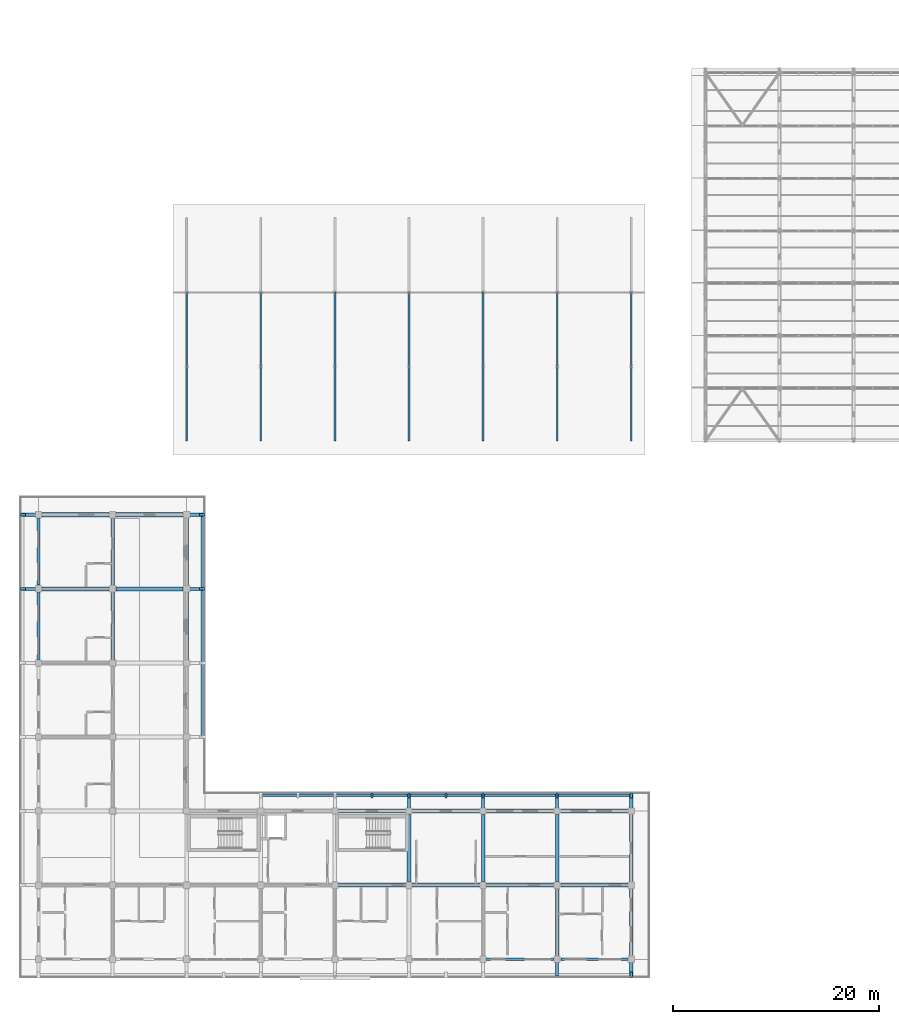
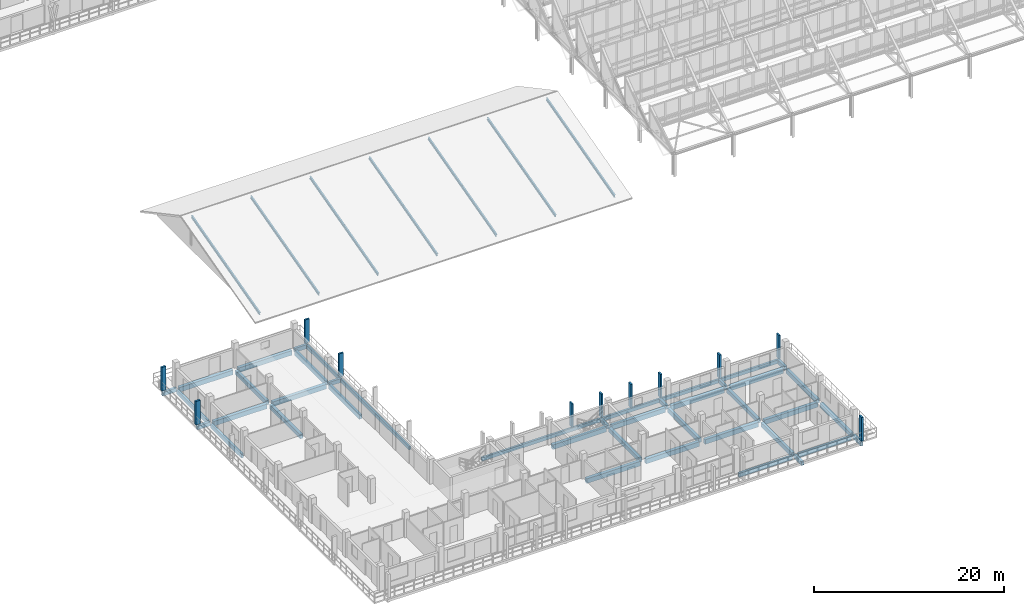
# One storey, part 21 of 157: 52 beams, 11 members.
"""IFC4 building model written with IfcOpenShell, lengths in metres."""

from ifc_helpers import new_model, si_unit, direction, frame, origin, origin_2d, place, context, subcontext, project, spatial, rectangle, i_section, extrude, material, material_profile, profile_set, type_object, element, save


model = new_model("IFC4")

# Units and contexts
model_context = context("Model", 3, precision=1e-05, world=origin(), true_north=direction((0.0, 1.0)))
body_context = subcontext(model_context, "Body", "Model", "MODEL_VIEW")
ifc_project = project(units=[si_unit("LENGTHUNIT", "METRE"), si_unit("AREAUNIT", "SQUARE_METRE"), si_unit("VOLUMEUNIT", "CUBIC_METRE"), si_unit("PLANEANGLEUNIT", "RADIAN"), si_unit("MASSUNIT", "GRAM", prefix="KILO")], contexts=[model_context])

# Site, building, storey
site_placement = place(None, origin())
site = spatial("IfcSite", under=ifc_project, at=site_placement, CompositionType="ELEMENT")
building_placement = place(site_placement, origin())
building = spatial("IfcBuilding", under=site, at=building_placement, Name="Suanplinth Sawtooth Commons", CompositionType="ELEMENT")
storey_placement = place(building_placement, frame((0.0, 0.0, 9.0)))
storey = spatial("IfcBuildingStorey", under=building, at=storey_placement, Name="L02", CompositionType="ELEMENT", Elevation=9.0)

# Beams
ifc_material_1 = material(Name="Precast concrete C40/50", Category="concrete")
ifc_material_profile_1 = material_profile(ifc_material_1, rectangle(XDim=0.39990234375, YDim=0.60009765625, at=origin_2d()), Name="PC-GDR 400x600")
ifc_profile_set_1 = profile_set([ifc_material_profile_1], Name="Precast concrete C40/50")
beam_type_1 = type_object("IfcBeamType", Name="B-05", PredefinedType="USERDEFINED", material=ifc_profile_set_1)
for number, where, z_axis, x_axis, name in (
    (1, (0.35009765625, 36.0, -0.550048828125), (1.0, 0.0, 0.0), (0.0, 1.0, 0.0), "BMX-L02-D-0-5"),
    (2, (0.35009765625, 43.199951171875, -0.550048828125), (1.0, 0.0, 0.0), (0.0, 1.0, 0.0), "BMX-L02-D-0-6"),
    (3, (7.550048828125, 36.0, -0.550048828125), (1.0, 0.0, 0.0), (0.0, 1.0, 0.0), "BMX-L02-D-1-5"),
    (4, (7.550048828125, 43.199951171875, -0.550048828125), (1.0, 0.0, 0.0), (0.0, 1.0, 0.0), "BMX-L02-D-1-6"),
    (5, (29.14990234375, 7.199951171875, -0.550048828125), (1.0, 0.0, 0.0), (0.0, 1.0, 0.0), "BMX-L02-D-4-1"),
    (6, (29.14990234375, 14.39990234375, -0.550048828125), (1.0, 0.0, 0.0), (0.0, 1.0, 0.0), "BMX-L02-D-4-2"),
    (7, (36.35009765625, 7.199951171875, -0.550048828125), (1.0, 0.0, 0.0), (0.0, 1.0, 0.0), "BMX-L02-D-5-1"),
    (8, (36.35009765625, 14.39990234375, -0.550048828125), (1.0, 0.0, 0.0), (0.0, 1.0, 0.0), "BMX-L02-D-5-2"),
    (9, (43.550048828125, 7.199951171875, -0.550048828125), (1.0, 0.0, 0.0), (0.0, 1.0, 0.0), "BMX-L02-D-6-1"),
    (10, (43.550048828125, 14.39990234375, -0.550048828125), (1.0, 0.0, 0.0), (0.0, 1.0, 0.0), "BMX-L02-D-6-2"),
    (11, (50.75, 7.199951171875, -0.550048828125), (1.0, 0.0, 0.0), (0.0, 1.0, 0.0), "BMX-L02-D-7-1"),
    (12, (50.75, 14.39990234375, -0.550048828125), (1.0, 0.0, 0.0), (0.0, 1.0, 0.0), "BMX-L02-D-7-2"),
):
    element("IfcBeam", number, at=place(storey_placement, frame(where, z_axis=z_axis, x_axis=x_axis)), inside=storey, type_object=beam_type_1, Name=name, ObjectType="GIRDER", PredefinedType="USERDEFINED", context=body_context, shape_type="SweptSolid", body=[
        extrude(rectangle(XDim=0.39990234375, YDim=0.60009765625, at=origin_2d()), origin(), (0.0, 0.0, 1.0), 6.5),
    ])
ifc_material_profile_2 = material_profile(ifc_material_1, rectangle(XDim=0.35009765625, YDim=0.550048828125, at=origin_2d()), Name="PC-BM 350x550")
ifc_profile_set_2 = profile_set([ifc_material_profile_2], Name="Precast concrete C40/50")
beam_type_2 = type_object("IfcBeamType", Name="B-06", PredefinedType="BEAM", material=ifc_profile_set_2)
for number, where, z_axis, x_axis, name in (
    (13, (7.199951171875, 29.14990234375, -0.52490234375), (0.0, 1.0, 0.0), (-1.0, 0.0, 0.0), "BMY-L02-D-1-4"),
    (14, (7.199951171875, 36.35009765625, -0.52490234375), (0.0, 1.0, 0.0), (-1.0, 0.0, 0.0), "BMY-L02-D-1-5"),
    (15, (14.39990234375, 29.14990234375, -0.52490234375), (0.0, 1.0, 0.0), (-1.0, 0.0, 0.0), "BMY-L02-D-2-4"),
    (16, (14.39990234375, 36.35009765625, -0.52490234375), (0.0, 1.0, 0.0), (-1.0, 0.0, 0.0), "BMY-L02-D-2-5"),
    (17, (36.0, 7.550048828125, -0.52490234375), (0.0, 1.0, 0.0), (-1.0, 0.0, 0.0), "BMY-L02-D-5-1"),
    (18, (43.199951171875, 7.550048828125, -0.52490234375), (0.0, 1.0, 0.0), (-1.0, 0.0, 0.0), "BMY-L02-D-6-1"),
    (19, (50.39990234375, 0.35009765625, -0.52490234375), (0.0, 1.0, 0.0), (-1.0, 0.0, 0.0), "BMY-L02-D-7-0"),
    (20, (50.39990234375, 7.550048828125, -0.52490234375), (0.0, 1.0, 0.0), (-1.0, 0.0, 0.0), "BMY-L02-D-7-1"),
    (21, (57.60009765625, 0.35009765625, -0.52490234375), (0.0, 1.0, 0.0), (-1.0, 0.0, 0.0), "BMY-L02-D-8-0"),
    (22, (57.60009765625, 7.550048828125, -0.52490234375), (0.0, 1.0, 0.0), (-1.0, 0.0, 0.0), "BMY-L02-D-8-1"),
):
    element("IfcBeam", number, at=place(storey_placement, frame(where, z_axis=z_axis, x_axis=x_axis)), inside=storey, type_object=beam_type_2, Name=name, PredefinedType="BEAM", context=body_context, shape_type="SweptSolid", body=[
        extrude(rectangle(XDim=0.35009765625, YDim=0.550048828125, at=origin_2d()), origin(), (0.0, 0.0, 1.0), 6.5),
    ])
ifc_material_profile_3 = material_profile(ifc_material_1, rectangle(XDim=0.300048828125, YDim=0.5, at=origin_2d()), Name="PC-BM 300x500")
ifc_profile_set_3 = profile_set([ifc_material_profile_3], Name="Precast concrete C40/50")
beam_type_3 = type_object("IfcBeamType", Name="B-07", PredefinedType="BEAM", material=ifc_profile_set_3)
for number, where, z_axis, x_axis, name in (
    (23, (50.39990234375, 0.0, -0.429931640625), (0.0, -1.0, 0.0), (1.0, 0.0, 0.0), "Balcony Outrigger L02-D-S-7"),
    (24, (57.60009765625, 0.0, -0.429931640625), (0.0, -1.0, 0.0), (1.0, 0.0, 0.0), "Balcony Outrigger L02-D-S-8"),
    (25, (0.0, 36.0, -0.429931640625), (-1.0, 0.0, 0.0), (0.0, -1.0, 0.0), "Balcony Outrigger L02-D-W-5"),
    (26, (0.0, 43.199951171875, -0.429931640625), (-1.0, 0.0, 0.0), (0.0, -1.0, 0.0), "Balcony Outrigger L02-D-W-6"),
):
    element("IfcBeam", number, at=place(storey_placement, frame(where, z_axis=z_axis, x_axis=x_axis)), inside=storey, type_object=beam_type_3, Name=name, PredefinedType="BEAM", context=body_context, shape_type="SweptSolid", body=[
        extrude(rectangle(XDim=0.300048828125, YDim=0.5, at=origin_2d()), origin(), (0.0, 0.0, 1.0), 1.639892578125),
    ])
for number, where, z_axis, x_axis, name in (
    (27, (36.0, 14.39990234375, -0.425048828125), (0.0, 1.0, 0.0), (-1.0, 0.0, 0.0), "Balcony Outrigger L02-D-NC-5"),
    (28, (43.199951171875, 14.39990234375, -0.425048828125), (0.0, 1.0, 0.0), (-1.0, 0.0, 0.0), "Balcony Outrigger L02-D-NC-6"),
    (29, (50.39990234375, 14.39990234375, -0.425048828125), (0.0, 1.0, 0.0), (-1.0, 0.0, 0.0), "Balcony Outrigger L02-D-NC-7"),
    (30, (57.60009765625, 14.39990234375, -0.425048828125), (0.0, 1.0, 0.0), (-1.0, 0.0, 0.0), "Balcony Outrigger L02-D-NC-8"),
    (31, (14.39990234375, 36.0, -0.425048828125), (1.0, 0.0, 0.0), (0.0, 1.0, 0.0), "Balcony Outrigger L02-D-EC-5"),
    (32, (14.39990234375, 43.199951171875, -0.425048828125), (1.0, 0.0, 0.0), (0.0, 1.0, 0.0), "Balcony Outrigger L02-D-EC-6"),
):
    element("IfcBeam", number, at=place(storey_placement, frame(where, z_axis=z_axis, x_axis=x_axis)), inside=storey, type_object=beam_type_3, Name=name, PredefinedType="BEAM", context=body_context, shape_type="SweptSolid", body=[
        extrude(rectangle(XDim=0.300048828125, YDim=0.5, at=origin_2d()), origin(), (0.0, 0.0, 1.0), 1.64013671875),
    ])
ifc_material_profile_4 = material_profile(ifc_material_1, rectangle(XDim=0.280029296875, YDim=0.52001953125, at=origin_2d()), Name="PC-SP 280x520")
ifc_profile_set_4 = profile_set([ifc_material_profile_4], Name="Precast concrete C40/50")
beam_type_4 = type_object("IfcBeamType", Name="B-08", PredefinedType="SPANDREL", material=ifc_profile_set_4)
for number, where, z_axis, x_axis, name in (
    (33, (43.550048828125, 0.0, -0.510009765625), (1.0, 0.0, 0.0), (0.0, 1.0, 0.0), "BMX-L02-D-6-0"),
    (34, (50.75, 0.0, -0.510009765625), (1.0, 0.0, 0.0), (0.0, 1.0, 0.0), "BMX-L02-D-7-0"),
    (35, (0.0, 29.14990234375, -0.510009765625), (0.0, 1.0, 0.0), (-1.0, 0.0, 0.0), "BMY-L02-D-0-4"),
    (36, (0.0, 36.35009765625, -0.510009765625), (0.0, 1.0, 0.0), (-1.0, 0.0, 0.0), "BMY-L02-D-0-5"),
):
    element("IfcBeam", number, at=place(storey_placement, frame(where, z_axis=z_axis, x_axis=x_axis)), inside=storey, type_object=beam_type_4, Name=name, PredefinedType="SPANDREL", context=body_context, shape_type="SweptSolid", body=[
        extrude(rectangle(XDim=0.280029296875, YDim=0.52001953125, at=origin_2d()), origin(), (0.0, 0.0, 1.0), 6.5),
    ])
ifc_material_profile_5 = material_profile(ifc_material_1, rectangle(XDim=0.25, YDim=0.449951171875, at=origin_2d()), Name="PC-SP 250x450")
ifc_profile_set_5 = profile_set([ifc_material_profile_5], Name="Precast concrete C40/50")
beam_type_5 = type_object("IfcBeamType", Name="B-09", PredefinedType="SPANDREL", material=ifc_profile_set_5)
beam_1_placement = place(storey_placement, frame((21.449951171875, 15.919921875, -0.39990234375), z_axis=(1.0, 0.0, 0.0), x_axis=(0.0, 1.0, 0.0)))
element("IfcBeam", 37, at=beam_1_placement, inside=storey, type_object=beam_type_5, Name="Balcony Edge Fascia L02-D-NC", PredefinedType="SPANDREL", context=body_context, shape_type="SweptSolid", body=[
    extrude(rectangle(XDim=0.25, YDim=0.449951171875, at=origin_2d()), origin(), (0.0, 0.0, 1.0), 36.300048828125),
])
beam_2_placement = place(storey_placement, frame((15.919921875, 21.449951171875, -0.39990234375), z_axis=(0.0, 1.0, 0.0), x_axis=(-1.0, 0.0, 0.0)))
element("IfcBeam", 38, at=beam_2_placement, inside=storey, type_object=beam_type_5, Name="Balcony Edge Fascia L02-D-EC", PredefinedType="SPANDREL", context=body_context, shape_type="SweptSolid", body=[
    extrude(rectangle(XDim=0.25, YDim=0.449951171875, at=origin_2d()), origin(), (0.0, 0.0, 1.0), 21.900146484375),
])
ifc_material_2 = material(Name="Steel S355JR", Category="steel")
ifc_material_profile_6 = material_profile(ifc_material_2, i_section(OverallWidth=0.169921875, OverallDepth=0.360107421875, WebThickness=0.008056640625, FlangeThickness=0.0126953125, at=origin_2d()), Name="IPE 360")
ifc_profile_set_6 = profile_set([ifc_material_profile_6], Name="Steel S355JR")
beam_type_6 = type_object("IfcBeamType", Name="B-12", PredefinedType="BEAM", material=ifc_profile_set_6)
beam_3_placement = place(storey_placement, frame((14.39990234375, 50.39990234375, -0.14990234375), z_axis=(0.0, 0.966239289705, 0.257646337117), x_axis=(-1.0, 0.0, 0.0)))
element("IfcBeam", 39, at=beam_3_placement, inside=storey, type_object=beam_type_6, Name="Market South Lower Rafter 3", PredefinedType="BEAM", context=body_context, shape_type="SweptSolid", body=[
    extrude(i_section(OverallWidth=0.169921875, OverallDepth=0.360107421875, WebThickness=0.008056640625, FlangeThickness=0.0126953125, at=origin_2d()), origin(), (0.0, 0.0, 1.0), 7.45166015625),
])
beam_4_placement = place(storey_placement, frame((14.39990234375, 57.60009765625, 1.77001953125), z_axis=(0.0, 0.966237114757, 0.257654493589), x_axis=(-1.0, 0.0, 0.0)))
element("IfcBeam", 40, at=beam_4_placement, inside=storey, type_object=beam_type_6, Name="Market South Upper Rafter 3", PredefinedType="BEAM", context=body_context, shape_type="SweptSolid", body=[
    extrude(i_section(OverallWidth=0.169921875, OverallDepth=0.360107421875, WebThickness=0.008056640625, FlangeThickness=0.0126953125, at=origin_2d()), origin(), (0.0, 0.0, 1.0), 7.451416015625),
])
beam_5_placement = place(storey_placement, frame((21.60009765625, 50.39990234375, -0.14990234375), z_axis=(0.0, 0.966239289705, 0.257646337117), x_axis=(-1.0, 0.0, 0.0)))
element("IfcBeam", 41, at=beam_5_placement, inside=storey, type_object=beam_type_6, Name="Market South Lower Rafter 4", PredefinedType="BEAM", context=body_context, shape_type="SweptSolid", body=[
    extrude(i_section(OverallWidth=0.169921875, OverallDepth=0.360107421875, WebThickness=0.008056640625, FlangeThickness=0.0126953125, at=origin_2d()), origin(), (0.0, 0.0, 1.0), 7.45166015625),
])
beam_6_placement = place(storey_placement, frame((21.60009765625, 57.60009765625, 1.77001953125), z_axis=(0.0, 0.966237114757, 0.257654493589), x_axis=(-1.0, 0.0, 0.0)))
element("IfcBeam", 42, at=beam_6_placement, inside=storey, type_object=beam_type_6, Name="Market South Upper Rafter 4", PredefinedType="BEAM", context=body_context, shape_type="SweptSolid", body=[
    extrude(i_section(OverallWidth=0.169921875, OverallDepth=0.360107421875, WebThickness=0.008056640625, FlangeThickness=0.0126953125, at=origin_2d()), origin(), (0.0, 0.0, 1.0), 7.451416015625),
])
beam_7_placement = place(storey_placement, frame((28.800048828125, 50.39990234375, -0.14990234375), z_axis=(0.0, 0.966239289705, 0.257646337117), x_axis=(-1.0, 0.0, 0.0)))
element("IfcBeam", 43, at=beam_7_placement, inside=storey, type_object=beam_type_6, Name="Market South Lower Rafter 5", PredefinedType="BEAM", context=body_context, shape_type="SweptSolid", body=[
    extrude(i_section(OverallWidth=0.169921875, OverallDepth=0.360107421875, WebThickness=0.008056640625, FlangeThickness=0.0126953125, at=origin_2d()), origin(), (0.0, 0.0, 1.0), 7.45166015625),
])
beam_8_placement = place(storey_placement, frame((28.800048828125, 57.60009765625, 1.77001953125), z_axis=(0.0, 0.966237114757, 0.257654493589), x_axis=(-1.0, 0.0, 0.0)))
element("IfcBeam", 44, at=beam_8_placement, inside=storey, type_object=beam_type_6, Name="Market South Upper Rafter 5", PredefinedType="BEAM", context=body_context, shape_type="SweptSolid", body=[
    extrude(i_section(OverallWidth=0.169921875, OverallDepth=0.360107421875, WebThickness=0.008056640625, FlangeThickness=0.0126953125, at=origin_2d()), origin(), (0.0, 0.0, 1.0), 7.451416015625),
])
beam_9_placement = place(storey_placement, frame((36.0, 50.39990234375, -0.14990234375), z_axis=(0.0, 0.966239289705, 0.257646337117), x_axis=(-1.0, 0.0, 0.0)))
element("IfcBeam", 45, at=beam_9_placement, inside=storey, type_object=beam_type_6, Name="Market South Lower Rafter 6", PredefinedType="BEAM", context=body_context, shape_type="SweptSolid", body=[
    extrude(i_section(OverallWidth=0.169921875, OverallDepth=0.360107421875, WebThickness=0.008056640625, FlangeThickness=0.0126953125, at=origin_2d()), origin(), (0.0, 0.0, 1.0), 7.45166015625),
])
beam_10_placement = place(storey_placement, frame((36.0, 57.60009765625, 1.77001953125), z_axis=(0.0, 0.966237114757, 0.257654493589), x_axis=(-1.0, 0.0, 0.0)))
element("IfcBeam", 46, at=beam_10_placement, inside=storey, type_object=beam_type_6, Name="Market South Upper Rafter 6", PredefinedType="BEAM", context=body_context, shape_type="SweptSolid", body=[
    extrude(i_section(OverallWidth=0.169921875, OverallDepth=0.360107421875, WebThickness=0.008056640625, FlangeThickness=0.0126953125, at=origin_2d()), origin(), (0.0, 0.0, 1.0), 7.451416015625),
])
beam_11_placement = place(storey_placement, frame((43.199951171875, 50.39990234375, -0.14990234375), z_axis=(0.0, 0.966239289705, 0.257646337117), x_axis=(-1.0, 0.0, 0.0)))
element("IfcBeam", 47, at=beam_11_placement, inside=storey, type_object=beam_type_6, Name="Market South Lower Rafter 7", PredefinedType="BEAM", context=body_context, shape_type="SweptSolid", body=[
    extrude(i_section(OverallWidth=0.169921875, OverallDepth=0.360107421875, WebThickness=0.008056640625, FlangeThickness=0.0126953125, at=origin_2d()), origin(), (0.0, 0.0, 1.0), 7.45166015625),
])
beam_12_placement = place(storey_placement, frame((43.199951171875, 57.60009765625, 1.77001953125), z_axis=(0.0, 0.966237114757, 0.257654493589), x_axis=(-1.0, 0.0, 0.0)))
element("IfcBeam", 48, at=beam_12_placement, inside=storey, type_object=beam_type_6, Name="Market South Upper Rafter 7", PredefinedType="BEAM", context=body_context, shape_type="SweptSolid", body=[
    extrude(i_section(OverallWidth=0.169921875, OverallDepth=0.360107421875, WebThickness=0.008056640625, FlangeThickness=0.0126953125, at=origin_2d()), origin(), (0.0, 0.0, 1.0), 7.451416015625),
])
beam_13_placement = place(storey_placement, frame((50.39990234375, 50.39990234375, -0.14990234375), z_axis=(0.0, 0.966239289705, 0.257646337117), x_axis=(-1.0, 0.0, 0.0)))
element("IfcBeam", 49, at=beam_13_placement, inside=storey, type_object=beam_type_6, Name="Market South Lower Rafter 8", PredefinedType="BEAM", context=body_context, shape_type="SweptSolid", body=[
    extrude(i_section(OverallWidth=0.169921875, OverallDepth=0.360107421875, WebThickness=0.008056640625, FlangeThickness=0.0126953125, at=origin_2d()), origin(), (0.0, 0.0, 1.0), 7.45166015625),
])
beam_14_placement = place(storey_placement, frame((50.39990234375, 57.60009765625, 1.77001953125), z_axis=(0.0, 0.966237114757, 0.257654493589), x_axis=(-1.0, 0.0, 0.0)))
element("IfcBeam", 50, at=beam_14_placement, inside=storey, type_object=beam_type_6, Name="Market South Upper Rafter 8", PredefinedType="BEAM", context=body_context, shape_type="SweptSolid", body=[
    extrude(i_section(OverallWidth=0.169921875, OverallDepth=0.360107421875, WebThickness=0.008056640625, FlangeThickness=0.0126953125, at=origin_2d()), origin(), (0.0, 0.0, 1.0), 7.451416015625),
])
beam_15_placement = place(storey_placement, frame((57.60009765625, 50.39990234375, -0.14990234375), z_axis=(0.0, 0.966239289705, 0.257646337117), x_axis=(-1.0, 0.0, 0.0)))
element("IfcBeam", 51, at=beam_15_placement, inside=storey, type_object=beam_type_6, Name="Market South Lower Rafter 9", PredefinedType="BEAM", context=body_context, shape_type="SweptSolid", body=[
    extrude(i_section(OverallWidth=0.169921875, OverallDepth=0.360107421875, WebThickness=0.008056640625, FlangeThickness=0.0126953125, at=origin_2d()), origin(), (0.0, 0.0, 1.0), 7.45166015625),
])
beam_16_placement = place(storey_placement, frame((57.60009765625, 57.60009765625, 1.77001953125), z_axis=(0.0, 0.966237114757, 0.257654493589), x_axis=(-1.0, 0.0, 0.0)))
element("IfcBeam", 52, at=beam_16_placement, inside=storey, type_object=beam_type_6, Name="Market South Upper Rafter 9", PredefinedType="BEAM", context=body_context, shape_type="SweptSolid", body=[
    extrude(i_section(OverallWidth=0.169921875, OverallDepth=0.360107421875, WebThickness=0.008056640625, FlangeThickness=0.0126953125, at=origin_2d()), origin(), (0.0, 0.0, 1.0), 7.451416015625),
])

# Members
ifc_material_3 = material(Name="Pigmented precast concrete C40/50", Category="concrete")
ifc_material_profile_7 = material_profile(ifc_material_3, rectangle(XDim=0.25, YDim=0.5400390625, at=origin_2d()), Name="PC-FIN 250x540")
ifc_profile_set_7 = profile_set([ifc_material_profile_7], Name="Pigmented precast concrete C40/50")
member_type_1 = type_object("IfcMemberType", Name="M-11", PredefinedType="USERDEFINED", material=ifc_profile_set_7)
for number, where, z_axis, x_axis, name in (
    (53, (57.60009765625, -1.52001953125, 0.0), (0.0, 0.0, 1.0), (1.0, 0.0, 0.0), "Upright Solar Blade L02-D-S-09"),
    (54, (-1.52001953125, 36.0, 0.0), (0.0, 0.0, 1.0), (0.0, 1.0, 0.0), "Upright Solar Blade L02-D-W-14"),
    (55, (-1.52001953125, 43.199951171875, 0.0), (0.0, 0.0, 1.0), (0.0, 1.0, 0.0), "Upright Solar Blade L02-D-W-15"),
):
    element("IfcMember", number, at=place(storey_placement, frame(where, z_axis=z_axis, x_axis=x_axis)), inside=storey, type_object=member_type_1, Name=name, ObjectType="SHADING FIN", PredefinedType="USERDEFINED", context=body_context, shape_type="SweptSolid", body=[
        extrude(rectangle(XDim=0.25, YDim=0.5400390625, at=origin_2d()), origin(), (0.0, 0.0, 1.0), 3.030029296875),
    ])
ifc_material_profile_8 = material_profile(ifc_material_3, rectangle(XDim=0.2099609375, YDim=0.52001953125, at=origin_2d()), Name="PC-FIN 210x520")
ifc_profile_set_8 = profile_set([ifc_material_profile_8], Name="Pigmented precast concrete C40/50")
member_type_2 = type_object("IfcMemberType", Name="M-12", PredefinedType="USERDEFINED", material=ifc_profile_set_8)
for number, where, z_axis, x_axis, name in (
    (56, (32.39990234375, 15.919921875, 0.0), (0.0, 0.0, 1.0), (1.0, 0.0, 0.0), "Upright Solar Blade L02-D-NC-19"),
    (57, (36.0, 15.919921875, 0.0), (0.0, 0.0, 1.0), (1.0, 0.0, 0.0), "Upright Solar Blade L02-D-NC-20"),
    (58, (39.60009765625, 15.919921875, 0.0), (0.0, 0.0, 1.0), (1.0, 0.0, 0.0), "Upright Solar Blade L02-D-NC-21"),
    (59, (43.199951171875, 15.919921875, 0.0), (0.0, 0.0, 1.0), (1.0, 0.0, 0.0), "Upright Solar Blade L02-D-NC-22"),
    (60, (50.39990234375, 15.919921875, 0.0), (0.0, 0.0, 1.0), (1.0, 0.0, 0.0), "Upright Solar Blade L02-D-NC-23"),
    (61, (57.60009765625, 15.919921875, 0.0), (0.0, 0.0, 1.0), (1.0, 0.0, 0.0), "Upright Solar Blade L02-D-NC-24"),
    (62, (15.919921875, 36.0, 0.0), (0.0, 0.0, 1.0), (0.0, 1.0, 0.0), "Upright Solar Blade L02-D-EC-27"),
    (63, (15.919921875, 43.199951171875, 0.0), (0.0, 0.0, 1.0), (0.0, 1.0, 0.0), "Upright Solar Blade L02-D-EC-28"),
):
    element("IfcMember", number, at=place(storey_placement, frame(where, z_axis=z_axis, x_axis=x_axis)), inside=storey, type_object=member_type_2, Name=name, ObjectType="SHADING FIN", PredefinedType="USERDEFINED", context=body_context, shape_type="SweptSolid", body=[
        extrude(rectangle(XDim=0.2099609375, YDim=0.52001953125, at=origin_2d()), origin(), (0.0, 0.0, 1.0), 3.030029296875),
    ])

save(model, "model.ifc")
